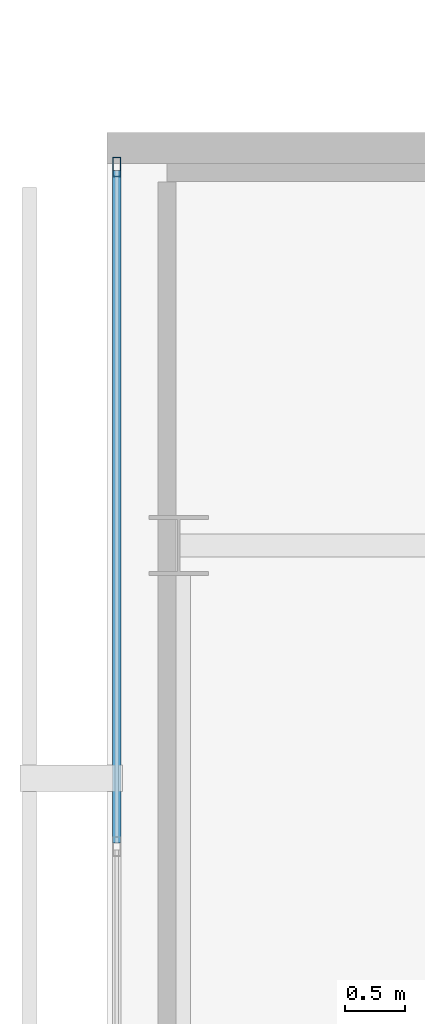
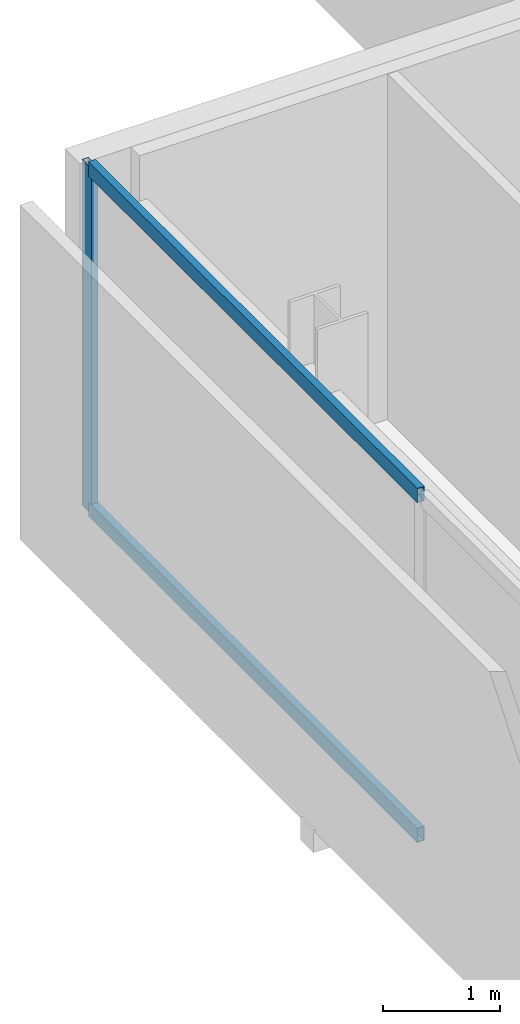
# One storey, part 14 of 24: 3 members, 1 element without a shape of its own.
"""IFC4 building model written with IfcOpenShell, lengths in metres."""

from ifc_helpers import new_model, si_unit, direction, frame, origin, origin_2d, place, context, subcontext, project, spatial, hollow_rectangle, extrude, material, layer, layer_set, material_profile, profile_set, type_object, element, aggregate, save


model = new_model("IFC4")

# Units and contexts
model_context = context("Model", 3, precision=1e-05, world=origin(), true_north=direction((0.0, 1.0)))
body_context = subcontext(model_context, "Body", "Model", "MODEL_VIEW")
ifc_project = project(units=[si_unit("LENGTHUNIT", "METRE"), si_unit("AREAUNIT", "SQUARE_METRE"), si_unit("VOLUMEUNIT", "CUBIC_METRE"), si_unit("PLANEANGLEUNIT", "RADIAN"), si_unit("MASSUNIT", "GRAM", prefix="KILO")], contexts=[model_context])

# Site, building, storey
site_placement = place(None, origin())
site = spatial("IfcSite", under=ifc_project, at=site_placement, CompositionType="ELEMENT")
building_placement = place(site_placement, origin())
building = spatial("IfcBuilding", under=site, at=building_placement, Name="Maruvema Waterfront Hotel and Observation Tower", CompositionType="ELEMENT")
storey_placement = place(building_placement, frame((0.0, 0.0, 325.85009765625)))
storey = spatial("IfcBuildingStorey", under=building, at=storey_placement, Name="L80", CompositionType="ELEMENT", Elevation=325.85009765625)

# Curtain wall, members
ifc_material_1 = material(Name="Anodised bronze aluminium and solar-control low-E IGU", Category="aluminium")
ifc_layer = layer(ifc_material_1, 0.159912109375, Name="Zone 4 Sky Residence Inner Curtain Wall System CW-05")
ifc_layer_set = layer_set([ifc_layer], Name="Anodised bronze aluminium and solar-control low-E IGU")
curtain_wall_type = type_object("IfcCurtainWallType", Name="Zone 4 Sky Residence Inner Curtain Wall System CW-05", PredefinedType="USERDEFINED", material=ifc_layer_set)
curtain_wall_placement = place(storey_placement, origin())
curtain_wall = element("IfcCurtainWall", 1, at=curtain_wall_placement, inside=storey, type_object=curtain_wall_type, Name="L80 Curtain Wall CW-L80-W", ObjectType="UNITISED CURTAIN WALL", PredefinedType="USERDEFINED")
ifc_material_2 = material(Name="Anodised architectural bronze aluminium", Category="aluminium")
ifc_material_profile_1 = material_profile(ifc_material_2, hollow_rectangle(XDim=0.070068359375, YDim=0.14990234375, WallThickness=0.00390625, at=origin_2d()), Name="ALU-T70x150")
ifc_profile_set_1 = profile_set([ifc_material_profile_1], Name="Anodised architectural bronze aluminium")
member_type_1 = type_object("IfcMemberType", Name="Curtain Wall Horizontal Transom ALU-T70x150", PredefinedType="USERDEFINED", material=ifc_profile_set_1)
member_1_placement = place(storey_placement, frame((17.780029296875, 48.139892578125, 0.02978515625), z_axis=(0.0, -1.0, 0.0), x_axis=(1.0, 0.0, 0.0)))
member_1 = element("IfcMember", 2, at=member_1_placement, type_object=member_type_1, Name="CW-05 transom 1.1", ObjectType="TRANSOM", PredefinedType="USERDEFINED", context=body_context, shape_type="SweptSolid", body=[
    extrude(hollow_rectangle(XDim=0.070068359375, YDim=0.14990234375, WallThickness=0.00390625, at=origin_2d()), origin(), (0.0, 0.0, 1.0), 5.6298828125),
])
member_2_placement = place(storey_placement, frame((17.780029296875, 48.139892578125, 3.579833984375), z_axis=(0.0, -1.0, 0.0), x_axis=(1.0, 0.0, 0.0)))
member_2 = element("IfcMember", 3, at=member_2_placement, type_object=member_type_1, Name="CW-05 transom 1.2", ObjectType="TRANSOM", PredefinedType="USERDEFINED", context=body_context, shape_type="SweptSolid", body=[
    extrude(hollow_rectangle(XDim=0.070068359375, YDim=0.14990234375, WallThickness=0.00390625, at=origin_2d()), origin(), (0.0, 0.0, 1.0), 5.6298828125),
])
ifc_material_3 = material(Name="Anodised architectural bronze aluminium", Category="aluminium")
ifc_material_profile_2 = material_profile(ifc_material_3, hollow_rectangle(XDim=0.06494140625, YDim=0.1650390625, WallThickness=0.00390625, at=origin_2d()), Name="ALU-M65x165")
ifc_profile_set_2 = profile_set([ifc_material_profile_2], Name="Anodised architectural bronze aluminium")
member_type_2 = type_object("IfcMemberType", Name="Curtain Wall Primary Mullion ALU-M65x165", PredefinedType="MULLION", material=ifc_profile_set_2)
member_3_placement = place(storey_placement, frame((17.780029296875, 48.169921875, 0.0), z_axis=(0.0, 0.0, 1.0), x_axis=(1.0, 0.0, 0.0)))
member_3 = element("IfcMember", 4, at=member_3_placement, type_object=member_type_2, Name="CW-05 mullion 1", PredefinedType="MULLION", context=body_context, shape_type="SweptSolid", body=[
    extrude(hollow_rectangle(XDim=0.06494140625, YDim=0.1650390625, WallThickness=0.00390625, at=origin_2d()), origin(), (0.0, 0.0, 1.0), 3.60986328125),
])
aggregate(curtain_wall, [member_3, member_1, member_2])

save(model, "model.ifc")
